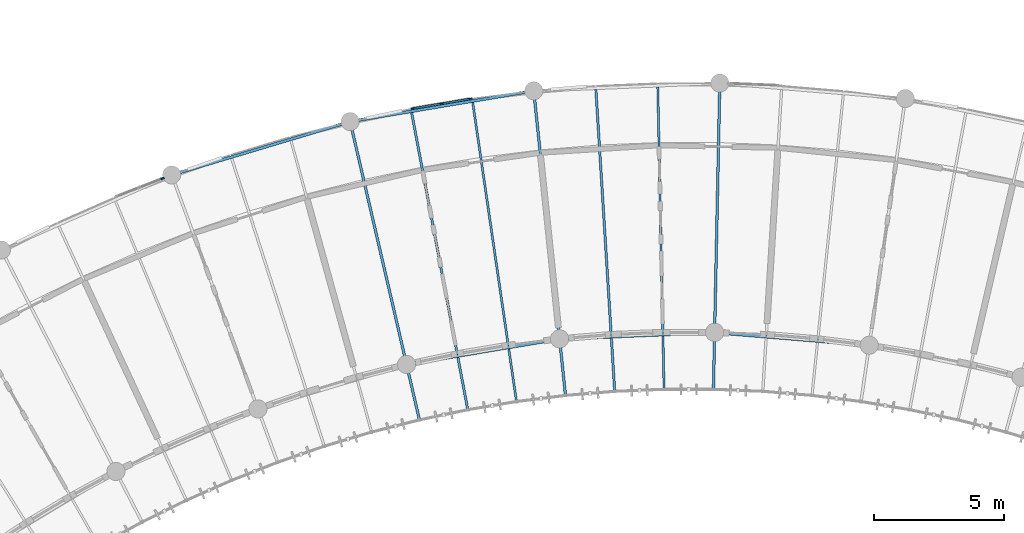
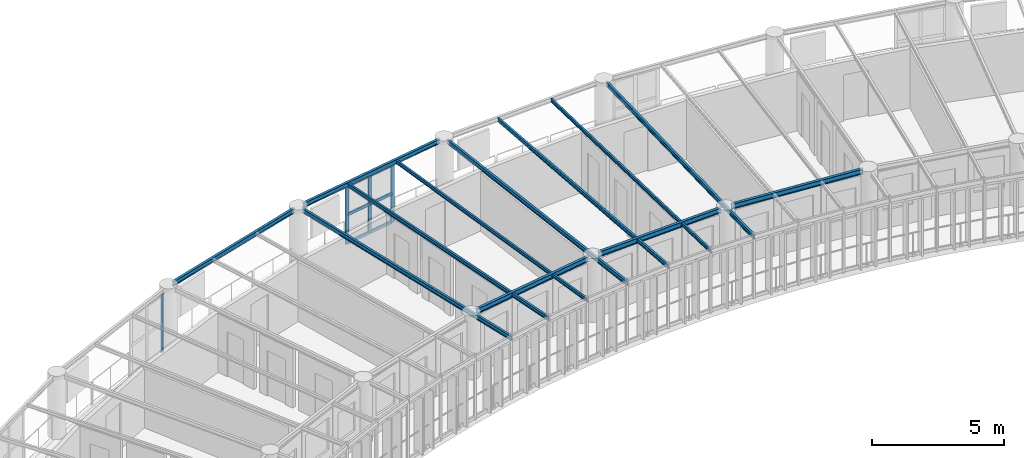
# One storey, part 54 of 137: 12 beams, 10 members, 2 elements without a shape of their own.
"""IFC4 building model written with IfcOpenShell, lengths in metres."""

from ifc_helpers import new_model, si_unit, direction, frame, origin, origin_2d, place, context, subcontext, project, spatial, rectangle, i_section, extrude, material, layer, layer_set, material_profile, profile_set, type_object, element, aggregate, save


model = new_model("IFC4")

# Units and contexts
model_context = context("Model", 3, precision=1e-05, world=origin(), true_north=direction((0.0, 1.0)))
body_context = subcontext(model_context, "Body", "Model", "MODEL_VIEW")
ifc_project = project(units=[si_unit("LENGTHUNIT", "METRE"), si_unit("AREAUNIT", "SQUARE_METRE"), si_unit("VOLUMEUNIT", "CUBIC_METRE"), si_unit("PLANEANGLEUNIT", "RADIAN"), si_unit("MASSUNIT", "GRAM", prefix="KILO"), si_unit("POWERUNIT", "WATT"), si_unit("THERMODYNAMICTEMPERATUREUNIT", "KELVIN")], contexts=[model_context])

# Site, building, storey
site_placement = place(None, origin())
site = spatial("IfcSite", under=ifc_project, at=site_placement, CompositionType="ELEMENT")
building_placement = place(site_placement, origin())
building = spatial("IfcBuilding", under=site, at=building_placement, Name="Ruvembo Vaulted Housing Court", CompositionType="ELEMENT")
storey_placement = place(building_placement, frame((0.0, 0.0, 4.5)))
storey = spatial("IfcBuildingStorey", under=building, at=storey_placement, Name="L01", CompositionType="ELEMENT", Elevation=4.5)

# Beams
ifc_material_1 = material(Name="Steel S355J2", Category="steel")
ifc_material_profile_1 = material_profile(ifc_material_1, i_section(OverallWidth=0.08203125, OverallDepth=0.159912109375, WebThickness=0.0048828125, FlangeThickness=0.00732421875, FilletRadius=0.009033203125, at=origin_2d()), Name="IPE 160")
ifc_profile_set_1 = profile_set([ifc_material_profile_1], Name="Steel S355J2")
beam_type_1 = type_object("IfcBeamType", Name="BM-ST-IPE160", PredefinedType="JOIST", material=ifc_profile_set_1)
beam_1_placement = place(storey_placement, frame((108.6826171875, 106.845458984375, 2.860107421875), z_axis=(0.144762278676, -0.989466463642, 0.0), x_axis=(0.989466463642, 0.144762278676, 0.0)))
element("IfcBeam", 1, at=beam_1_placement, inside=storey, type_object=beam_type_1, Name="Scoop SC3 L01 Radial Steel Joist 11", PredefinedType="JOIST", context=body_context, shape_type="SweptSolid", body=[
    extrude(i_section(OverallWidth=0.08203125, OverallDepth=0.159912109375, WebThickness=0.0048828125, FlangeThickness=0.00732421875, FilletRadius=0.009033203125, at=origin_2d()), origin(), (0.0, 0.0, 1.0), 11.690673828125),
])
beam_2_placement = place(storey_placement, frame((115.8076171875, 107.4384765625, 2.860107421875), z_axis=(0.020757495044, -0.999784539988, 0.0), x_axis=(0.999784539988, 0.020757495044, 0.0)))
element("IfcBeam", 2, at=beam_2_placement, inside=storey, type_object=beam_type_1, Name="Scoop SC3 L01 Radial Steel Joist 14", PredefinedType="JOIST", context=body_context, shape_type="SweptSolid", body=[
    extrude(i_section(OverallWidth=0.08203125, OverallDepth=0.159912109375, WebThickness=0.0048828125, FlangeThickness=0.00732421875, FilletRadius=0.009033203125, at=origin_2d()), origin(), (0.0, 0.0, 1.0), 11.69091796875),
])
ifc_material_profile_2 = material_profile(ifc_material_1, i_section(OverallWidth=0.091064453125, OverallDepth=0.179931640625, WebThickness=0.00537109375, FlangeThickness=0.008056640625, FilletRadius=0.009033203125, at=origin_2d()), Name="IPE 180")
ifc_profile_set_2 = profile_set([ifc_material_profile_2], Name="Steel S355J2")
beam_type_2 = type_object("IfcBeamType", Name="BM-ST-IPE180", PredefinedType="JOIST", material=ifc_profile_set_2)
for number, where, z_axis, x_axis, name in (
    (3, (106.33056640625, 106.451416015625, 2.85009765625), (0.185715658809, -0.982603528425, 0.0), (0.982603528425, 0.185715658809, 0.0), "Scoop SC3 L01 Radial Steel Joist 10"),
    (4, (113.425048828125, 107.33935546875, 2.85009765625), (0.062232670177, -0.998061668817, 0.0), (0.998061668817, 0.062232670177, 0.0), "Scoop SC3 L01 Radial Steel Joist 13"),
):
    element("IfcBeam", number, at=place(storey_placement, frame(where, z_axis=z_axis, x_axis=x_axis)), inside=storey, type_object=beam_type_2, Name=name, PredefinedType="JOIST", context=body_context, shape_type="SweptSolid", body=[
        extrude(i_section(OverallWidth=0.091064453125, OverallDepth=0.179931640625, WebThickness=0.00537109375, FlangeThickness=0.008056640625, FilletRadius=0.009033203125, at=origin_2d()), origin(), (0.0, 0.0, 1.0), 11.690673828125),
    ])
ifc_material_profile_3 = material_profile(ifc_material_1, i_section(OverallWidth=0.10009765625, OverallDepth=0.199951171875, WebThickness=0.005615234375, FlangeThickness=0.008544921875, FilletRadius=0.011962890625, at=origin_2d()), Name="IPE 200")
ifc_profile_set_3 = profile_set([ifc_material_profile_3], Name="Steel S355J2")
beam_type_3 = type_object("IfcBeamType", Name="BM-ST-IPE200", PredefinedType="BEAM", material=ifc_profile_set_3)
beam_3_placement = place(storey_placement, frame((104.015380859375, 105.88134765625, 2.840087890625), z_axis=(0.226347402138, -0.97404663828, 0.0), x_axis=(0.97404663828, 0.226347402138, 0.0)))
element("IfcBeam", 5, at=beam_3_placement, inside=storey, type_object=beam_type_3, Name="Scoop SC3 L01 Radial Steel Joist 9", PredefinedType="BEAM", context=body_context, shape_type="SweptSolid", body=[
    extrude(i_section(OverallWidth=0.10009765625, OverallDepth=0.199951171875, WebThickness=0.005615234375, FlangeThickness=0.008544921875, FilletRadius=0.011962890625, at=origin_2d()), origin(), (0.0, 0.0, 1.0), 11.610107421875),
])
beam_4_placement = place(storey_placement, frame((111.056884765625, 107.061279296875, 2.840087890625), z_axis=(0.103608684638, -0.994618138015, 0.0), x_axis=(0.994618138015, 0.103608684638, 0.0)))
element("IfcBeam", 6, at=beam_4_placement, inside=storey, type_object=beam_type_3, Name="Scoop SC3 L01 Radial Steel Joist 12", PredefinedType="BEAM", context=body_context, shape_type="SweptSolid", body=[
    extrude(i_section(OverallWidth=0.10009765625, OverallDepth=0.199951171875, WebThickness=0.005615234375, FlangeThickness=0.008544921875, FilletRadius=0.011962890625, at=origin_2d()), origin(), (0.0, 0.0, 1.0), 11.60986328125),
])
beam_5_placement = place(storey_placement, frame((118.190673828125, 107.357666015625, 2.840087890625), z_axis=(-0.020754809044, -0.999784595751, 0.0), x_axis=(0.999784595751, -0.020754809044, 0.0)))
element("IfcBeam", 7, at=beam_5_placement, inside=storey, type_object=beam_type_3, Name="Scoop SC3 L01 Radial Steel Joist 15", PredefinedType="BEAM", context=body_context, shape_type="SweptSolid", body=[
    extrude(i_section(OverallWidth=0.10009765625, OverallDepth=0.199951171875, WebThickness=0.005615234375, FlangeThickness=0.008544921875, FilletRadius=0.011962890625, at=origin_2d()), origin(), (0.0, 0.0, 1.0), 11.610107421875),
])
ifc_material_profile_4 = material_profile(ifc_material_1, i_section(OverallWidth=0.110107421875, OverallDepth=0.219970703125, WebThickness=0.005859375, FlangeThickness=0.00927734375, FilletRadius=0.011962890625, at=origin_2d()), Name="IPE 220")
ifc_profile_set_4 = profile_set([ifc_material_profile_4], Name="Steel S355J2")
beam_type_4 = type_object("IfcBeamType", Name="BM-ST-IPE220", PredefinedType="SPANDREL", material=ifc_profile_set_4)
beam_6_placement = place(storey_placement, frame((97.31591796875, 104.117431640625, 2.83203125), z_axis=(0.958081335052, 0.286496344522, 0.0), x_axis=(-0.286496344522, 0.958081335052, 0.0)))
element("IfcBeam", 8, at=beam_6_placement, inside=storey, type_object=beam_type_4, Name="Scoop SC3 L01 Chord Girder B6", PredefinedType="SPANDREL", context=body_context, shape_type="SweptSolid", body=[
    extrude(i_section(OverallWidth=0.110107421875, OverallDepth=0.219970703125, WebThickness=0.005859375, FlangeThickness=0.00927734375, FilletRadius=0.011962890625, at=origin_2d()), origin(), (0.0, 0.0, 1.0), 6.708251953125),
])
beam_7_placement = place(storey_placement, frame((104.190185546875, 106.143310546875, 2.83203125), z_axis=(0.986244010524, 0.165295951874, 0.0), x_axis=(-0.165295951874, 0.986244010524, 0.0)))
element("IfcBeam", 9, at=beam_7_placement, inside=storey, type_object=beam_type_4, Name="Scoop SC3 L01 Chord Girder B9", PredefinedType="SPANDREL", context=body_context, shape_type="SweptSolid", body=[
    extrude(i_section(OverallWidth=0.110107421875, OverallDepth=0.219970703125, WebThickness=0.005859375, FlangeThickness=0.00927734375, FilletRadius=0.011962890625, at=origin_2d()), origin(), (0.0, 0.0, 1.0), 6.70849609375),
])
ifc_material_profile_5 = material_profile(ifc_material_1, i_section(OverallWidth=0.1201171875, OverallDepth=0.239990234375, WebThickness=0.006103515625, FlangeThickness=0.009765625, FilletRadius=0.014892578125, at=origin_2d()), Name="IPE 240")
ifc_profile_set_5 = profile_set([ifc_material_profile_5], Name="Steel S355J2")
beam_type_5 = type_object("IfcBeamType", Name="BM-ST-IPE240", PredefinedType="BEAM", material=ifc_profile_set_5)
beam_8_placement = place(storey_placement, frame((106.363037109375, 96.79248046875, 2.822021484375), z_axis=(0.986243921556, 0.1652964827, 0.0), x_axis=(-0.1652964827, 0.986243921556, 0.0)))
element("IfcBeam", 10, at=beam_8_placement, inside=storey, type_object=beam_type_5, Name="Scoop SC3 L01 Chord Girder F9", PredefinedType="BEAM", context=body_context, shape_type="SweptSolid", body=[
    extrude(i_section(OverallWidth=0.1201171875, OverallDepth=0.239990234375, WebThickness=0.006103515625, FlangeThickness=0.009765625, FilletRadius=0.014892578125, at=origin_2d()), origin(), (0.0, 0.0, 1.0), 5.513671875),
])
beam_9_placement = place(storey_placement, frame((112.257568359375, 97.751220703125, 2.822021484375), z_axis=(0.999137059087, 0.041534770494, 0.0), x_axis=(-0.041534770494, 0.999137059087, 0.0)))
element("IfcBeam", 11, at=beam_9_placement, inside=storey, type_object=beam_type_5, Name="Scoop SC3 L01 Chord Girder F12", PredefinedType="BEAM", context=body_context, shape_type="SweptSolid", body=[
    extrude(i_section(OverallWidth=0.1201171875, OverallDepth=0.239990234375, WebThickness=0.006103515625, FlangeThickness=0.009765625, FilletRadius=0.014892578125, at=origin_2d()), origin(), (0.0, 0.0, 1.0), 5.513427734375),
])
beam_10_placement = place(storey_placement, frame((118.225341796875, 97.970703125, 2.822021484375), z_axis=(0.996555218009, -0.082931884451, 0.0), x_axis=(0.082931884451, 0.996555218009, 0.0)))
element("IfcBeam", 12, at=beam_10_placement, inside=storey, type_object=beam_type_5, Name="Scoop SC3 L01 Chord Girder F15", PredefinedType="BEAM", context=body_context, shape_type="SweptSolid", body=[
    extrude(i_section(OverallWidth=0.1201171875, OverallDepth=0.239990234375, WebThickness=0.006103515625, FlangeThickness=0.009765625, FilletRadius=0.014892578125, at=origin_2d()), origin(), (0.0, 0.0, 1.0), 5.513916015625),
])

# Curtain wall, member
ifc_material_2 = material(Name="Anodised Aluminium and Solar-Control Glass", Category="aluminium")
ifc_layer_1 = layer(ifc_material_2, 0.1201171875, Name="Anodised Aluminium and Solar-Control Glass")
ifc_layer_set_1 = layer_set([ifc_layer_1], Name="Anodised Aluminium and Solar-Control Glass")
curtain_wall_type_1 = type_object("IfcCurtainWallType", Name="CW-SCOOP-GAL", PredefinedType="NOTDEFINED", material=ifc_layer_set_1)
curtain_wall_1_placement = place(storey_placement, origin())
curtain_wall_1 = element("IfcCurtainWall", 13, at=curtain_wall_1_placement, inside=storey, type_object=curtain_wall_type_1, Name="L01 Curtain Wall CW-L01-0060", PredefinedType="NOTDEFINED")
ifc_material_3 = material(Name="Anodised Aluminium 6063-T6", Category="aluminium")
ifc_material_profile_6 = material_profile(ifc_material_3, rectangle(XDim=0.06005859375, YDim=0.139892578125, at=origin_2d()), Name="ALU 60x140")
ifc_profile_set_6 = profile_set([ifc_material_profile_6], Name="Anodised Aluminium 6063-T6")
member_type_1 = type_object("IfcMemberType", Name="CW-MUL-60x140", PredefinedType="MULLION", material=ifc_profile_set_6)
member_1_placement = place(storey_placement, frame((96.74169921875, 103.912841796875, 0.0), z_axis=(0.0, 0.0, 1.0), x_axis=(-0.365033747989, 0.930994287216, 0.0)))
member_1 = element("IfcMember", 14, at=member_1_placement, type_object=member_type_1, Name="CW6 mullion 3", PredefinedType="MULLION", context=body_context, shape_type="SweptSolid", body=[
    extrude(rectangle(XDim=0.06005859375, YDim=0.139892578125, at=origin_2d()), origin(), (0.0, 0.0, 1.0), 2.697998046875),
])
aggregate(curtain_wall_1, [member_1])

# Curtain wall, members
ifc_layer_2 = layer(ifc_material_2, 0.139892578125, Name="Anodised Aluminium and Solar-Control Glass")
ifc_layer_set_2 = layer_set([ifc_layer_2], Name="Anodised Aluminium and Solar-Control Glass")
curtain_wall_type_2 = type_object("IfcCurtainWallType", Name="CW-SCOOP-PAN", PredefinedType="NOTDEFINED", material=ifc_layer_set_2)
curtain_wall_2_placement = place(storey_placement, origin())
curtain_wall_2 = element("IfcCurtainWall", 15, at=curtain_wall_2_placement, inside=storey, type_object=curtain_wall_type_2, Name="L01 Curtain Wall CW-L01-0061", PredefinedType="NOTDEFINED")
ifc_material_profile_7 = material_profile(ifc_material_3, rectangle(XDim=0.06005859375, YDim=0.159912109375, at=origin_2d()), Name="ALU 60x160")
ifc_profile_set_7 = profile_set([ifc_material_profile_7], Name="Anodised Aluminium 6063-T6")
member_type_2 = type_object("IfcMemberType", Name="CW-MULLION-65x150", PredefinedType="MULLION", material=ifc_profile_set_7)
member_2_placement = place(storey_placement, frame((106.3818359375, 106.611328125, 0.0), z_axis=(0.0, 0.0, 1.0), x_axis=(-0.165262505305, 0.986249615635, 0.0)))
member_2 = element("IfcMember", 16, at=member_2_placement, type_object=member_type_2, Name="CW10 mullion 1", PredefinedType="MULLION", context=body_context, shape_type="SweptSolid", body=[
    extrude(rectangle(XDim=0.06005859375, YDim=0.159912109375, at=origin_2d()), origin(), (0.0, 0.0, 1.0), 2.697998046875),
])
member_3_placement = place(storey_placement, frame((107.48193359375, 106.795654296875, 0.0), z_axis=(0.0, 0.0, 1.0), x_axis=(-0.165262505305, 0.986249615635, 0.0)))
member_3 = element("IfcMember", 17, at=member_3_placement, type_object=member_type_2, Name="CW10 mullion 2", PredefinedType="MULLION", context=body_context, shape_type="SweptSolid", body=[
    extrude(rectangle(XDim=0.06005859375, YDim=0.159912109375, at=origin_2d()), origin(), (0.0, 0.0, 1.0), 2.697998046875),
])
member_4_placement = place(storey_placement, frame((108.58203125, 106.97998046875, 0.0), z_axis=(0.0, 0.0, 1.0), x_axis=(-0.165262505305, 0.986249615635, 0.0)))
member_4 = element("IfcMember", 18, at=member_4_placement, type_object=member_type_2, Name="CW10 mullion 3", PredefinedType="MULLION", context=body_context, shape_type="SweptSolid", body=[
    extrude(rectangle(XDim=0.06005859375, YDim=0.159912109375, at=origin_2d()), origin(), (0.0, 0.0, 1.0), 2.697998046875),
])
ifc_material_profile_8 = material_profile(ifc_material_3, rectangle(XDim=0.06494140625, YDim=0.135009765625, at=origin_2d()), Name="ALU 65x135")
ifc_profile_set_8 = profile_set([ifc_material_profile_8], Name="Anodised Aluminium 6063-T6")
member_type_3 = type_object("IfcMemberType", Name="CW-TRN-65x135", PredefinedType="USERDEFINED", material=ifc_profile_set_8)
member_5_placement = place(storey_placement, frame((106.411376953125, 106.6162109375, 0.032470703125), z_axis=(0.986268610863, 0.16514910604, 0.0), x_axis=(-0.16514910604, 0.986268610863, 0.0)))
member_5 = element("IfcMember", 19, at=member_5_placement, type_object=member_type_3, Name="CW10 transom 1.1", ObjectType="TRANSOM", PredefinedType="USERDEFINED", context=body_context, shape_type="SweptSolid", body=[
    extrude(rectangle(XDim=0.06494140625, YDim=0.135009765625, at=origin_2d()), origin(), (0.0, 0.0, 1.0), 1.055419921875),
])
member_6_placement = place(storey_placement, frame((106.411376953125, 106.6162109375, 1.34912109375), z_axis=(0.986268610863, 0.16514910604, 0.0), x_axis=(-0.16514910604, 0.986268610863, 0.0)))
member_6 = element("IfcMember", 20, at=member_6_placement, type_object=member_type_3, Name="CW10 transom 1.2", ObjectType="TRANSOM", PredefinedType="USERDEFINED", context=body_context, shape_type="SweptSolid", body=[
    extrude(rectangle(XDim=0.06494140625, YDim=0.135009765625, at=origin_2d()), origin(), (0.0, 0.0, 1.0), 1.055419921875),
])
member_7_placement = place(storey_placement, frame((106.411376953125, 106.6162109375, 2.66552734375), z_axis=(0.986268610863, 0.16514910604, 0.0), x_axis=(-0.16514910604, 0.986268610863, 0.0)))
member_7 = element("IfcMember", 21, at=member_7_placement, type_object=member_type_3, Name="CW10 transom 1.3", ObjectType="TRANSOM", PredefinedType="USERDEFINED", context=body_context, shape_type="SweptSolid", body=[
    extrude(rectangle(XDim=0.06494140625, YDim=0.135009765625, at=origin_2d()), origin(), (0.0, 0.0, 1.0), 1.055419921875),
])
member_8_placement = place(storey_placement, frame((107.511474609375, 106.800537109375, 0.032470703125), z_axis=(0.986230911972, 0.165374085849, 0.0), x_axis=(-0.165374085849, 0.986230911972, 0.0)))
member_8 = element("IfcMember", 22, at=member_8_placement, type_object=member_type_3, Name="CW10 transom 2.1", ObjectType="TRANSOM", PredefinedType="USERDEFINED", context=body_context, shape_type="SweptSolid", body=[
    extrude(rectangle(XDim=0.06494140625, YDim=0.135009765625, at=origin_2d()), origin(), (0.0, 0.0, 1.0), 1.0556640625),
])
member_9_placement = place(storey_placement, frame((107.511474609375, 106.800537109375, 1.34912109375), z_axis=(0.986230911972, 0.165374085849, 0.0), x_axis=(-0.165374085849, 0.986230911972, 0.0)))
member_9 = element("IfcMember", 23, at=member_9_placement, type_object=member_type_3, Name="CW10 transom 2.2", ObjectType="TRANSOM", PredefinedType="USERDEFINED", context=body_context, shape_type="SweptSolid", body=[
    extrude(rectangle(XDim=0.06494140625, YDim=0.135009765625, at=origin_2d()), origin(), (0.0, 0.0, 1.0), 1.0556640625),
])
member_10_placement = place(storey_placement, frame((107.511474609375, 106.800537109375, 2.66552734375), z_axis=(0.986230911972, 0.165374085849, 0.0), x_axis=(-0.165374085849, 0.986230911972, 0.0)))
member_10 = element("IfcMember", 24, at=member_10_placement, type_object=member_type_3, Name="CW10 transom 2.3", ObjectType="TRANSOM", PredefinedType="USERDEFINED", context=body_context, shape_type="SweptSolid", body=[
    extrude(rectangle(XDim=0.06494140625, YDim=0.135009765625, at=origin_2d()), origin(), (0.0, 0.0, 1.0), 1.0556640625),
])
aggregate(curtain_wall_2, [member_2, member_3, member_4, member_5, member_6, member_7, member_8, member_9, member_10])

save(model, "model.ifc")
